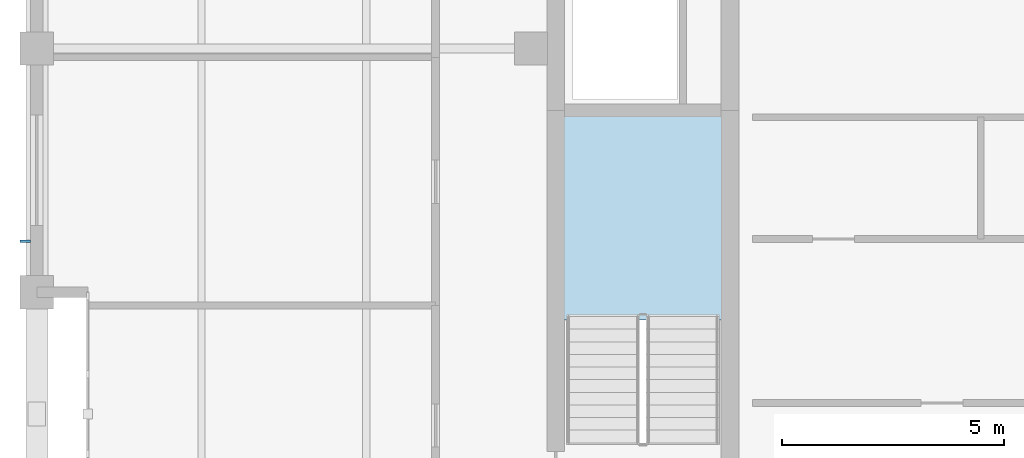
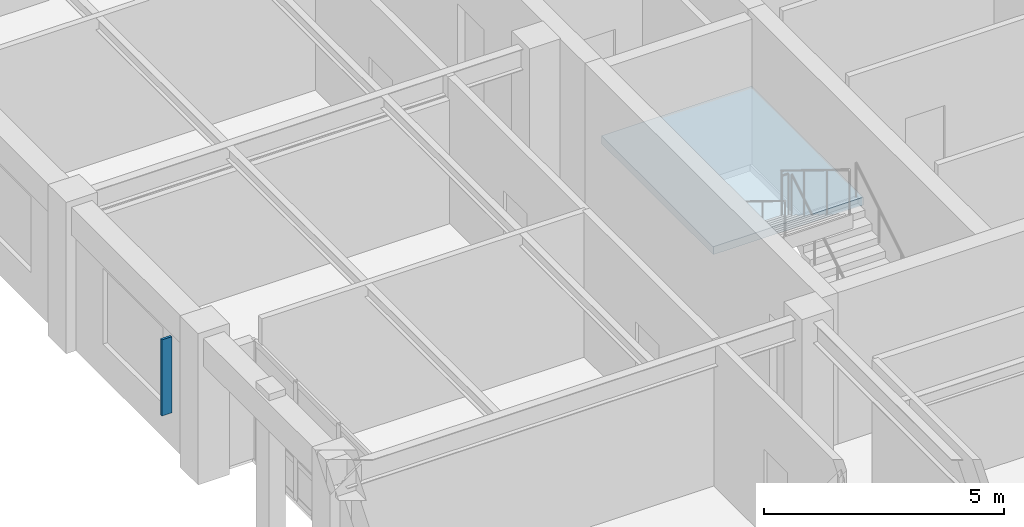
# One storey, part 6 of 13: 1 plate, 1 slab, 1 element without a shape of its own.
"""IFC4 building model written with IfcOpenShell, lengths in metres."""

from ifc_helpers import new_model, si_unit, direction, frame, origin, origin_2d, place, context, subcontext, project, spatial, polyline, rectangle, outline, extrude, material, layer, layer_set, type_object, element, aggregate, save


model = new_model("IFC4")

# Units and contexts
model_context = context("Model", 3, precision=1e-05, world=origin(), true_north=direction((0.0, 1.0)))
body_context = subcontext(model_context, "Body", "Model", "MODEL_VIEW")
ifc_project = project(units=[si_unit("LENGTHUNIT", "METRE"), si_unit("AREAUNIT", "SQUARE_METRE"), si_unit("VOLUMEUNIT", "CUBIC_METRE"), si_unit("PLANEANGLEUNIT", "RADIAN"), si_unit("MASSUNIT", "GRAM", prefix="KILO")], contexts=[model_context])

# Site, building, storey
site_placement = place(None, origin())
site = spatial("IfcSite", under=ifc_project, at=site_placement, CompositionType="ELEMENT")
building_placement = place(site_placement, origin())
building = spatial("IfcBuilding", under=site, at=building_placement, Name="Nhamokura Convention Tower", CompositionType="ELEMENT")
storey_placement = place(building_placement, frame((0.0, 0.0, 300.64990234375)))
storey = spatial("IfcBuildingStorey", under=building, at=storey_placement, Name="L74", CompositionType="ELEMENT", Elevation=300.64990234375)

# Plate
ifc_material_1 = material(Name="Anodised bronze aluminium AA6063-T6", Category="aluminium")
plate_type = type_object("IfcPlateType", Name="BronzeSolarFin_3", PredefinedType="USERDEFINED", material=ifc_material_1)
plate_placement = place(storey_placement, frame((9.239990234375, 27.64990234375, 0.85009765625), z_axis=(0.0, 0.0, 1.0), x_axis=(1.0, 0.0, 0.0)))
element("IfcPlate", 1, at=plate_placement, inside=storey, type_object=plate_type, Name="L74 Bronze Solar Shading Fin WEST 2", ObjectType="SOLAR_FIN", PredefinedType="USERDEFINED", context=body_context, shape_type="SweptSolid", body=[
    extrude(rectangle(XDim=0.239990234375, YDim=0.06005859375, at=origin_2d()), origin(), (0.0, 0.0, 1.0), 1.93505859375),
])

# Stair, slab
ifc_material_2 = material(Name="Concrete C40/50", Category="concrete")
stair_type = type_object("IfcStairType", Name="TowerCoreStair_1650", PredefinedType="HALF_TURN_STAIR", material=ifc_material_2)
stair_placement = place(storey_placement, origin())
stair = element("IfcStair", 2, at=stair_placement, inside=storey, type_object=stair_type, Name="L74 West Core Smokeproof Stair ST-01", PredefinedType="HALF_TURN_STAIR")
ifc_material_3 = material(Name="Concrete C40/50", Category="concrete")
ifc_layer = layer(ifc_material_3, 0.199951171875)
ifc_layer_set = layer_set([ifc_layer], Name="StairLandingSlab_200")
slab_type = type_object("IfcSlabType", Name="StairLandingSlab_200", PredefinedType="LANDING", material=ifc_layer_set)
slab_placement = place(storey_placement, frame((0.0, 0.0, 1.72509765625)))
slab = element("IfcSlab", 3, at=slab_placement, type_object=slab_type, Name="ST-01 landing 1", PredefinedType="LANDING", context=body_context, shape_type="SweptSolid", body=[
    extrude(outline(polyline([(24.97998046875, 25.8701171875), (24.97998046875, 30.530029296875), (21.3701171875, 30.530029296875), (21.3701171875, 25.8701171875), (24.97998046875, 25.8701171875)])), origin(), (0.0, 0.0, 1.0), 0.199951171875),
])
aggregate(stair, [slab])

save(model, "model.ifc")
